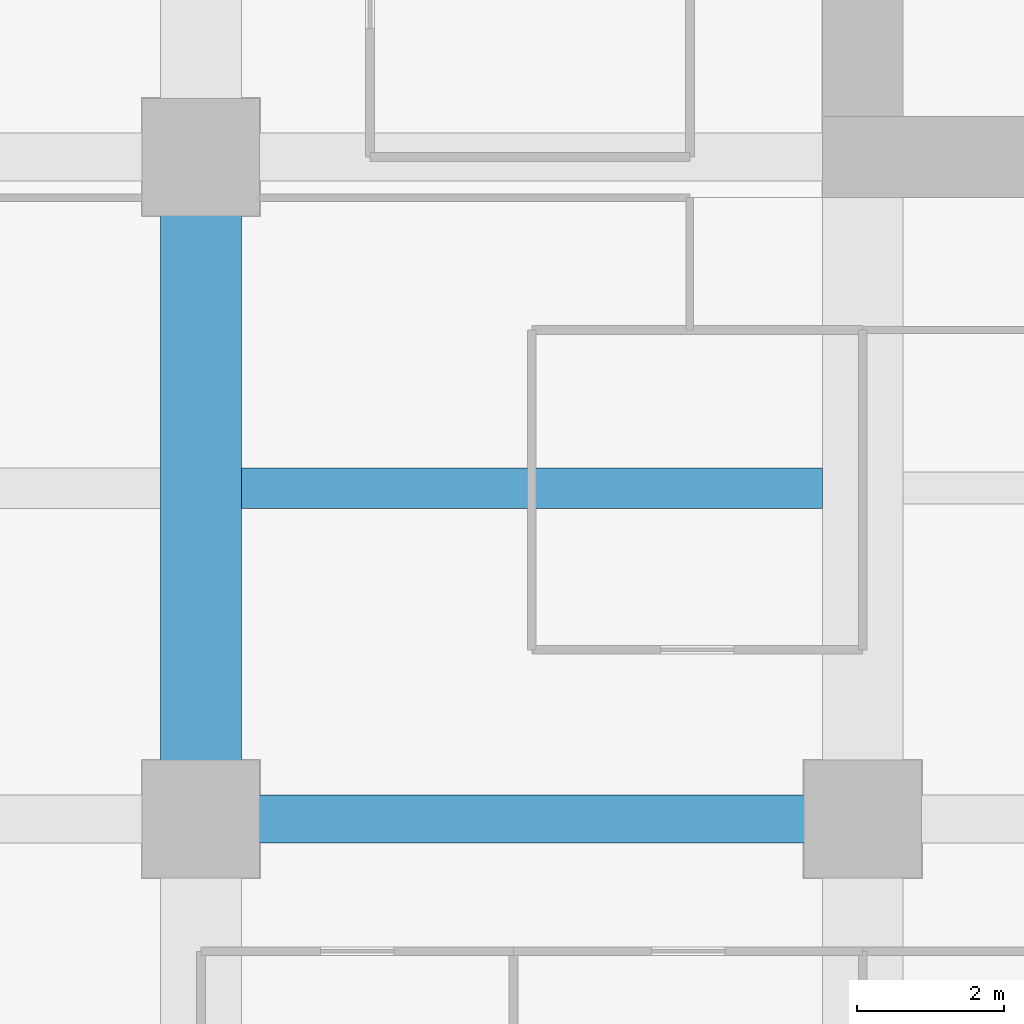
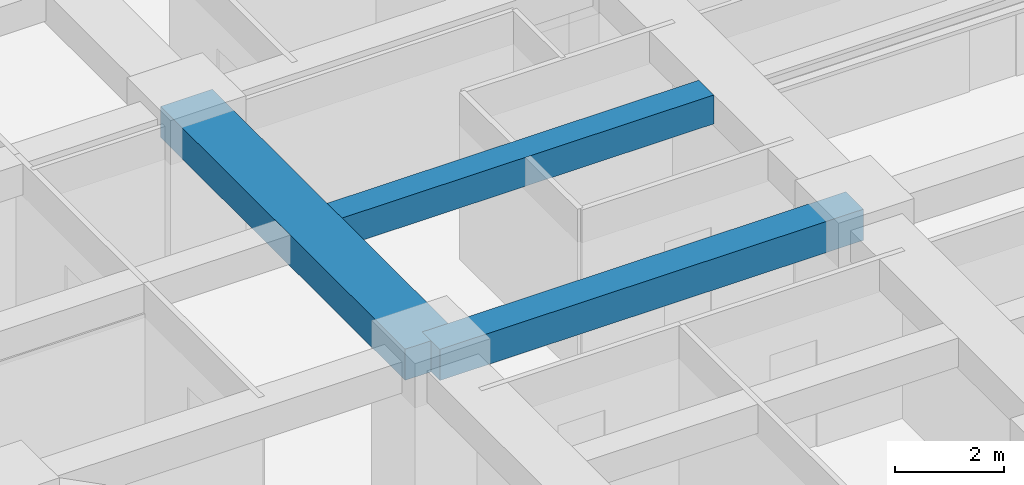
# One storey, part 5 of 34: 3 beams.
"""IFC4 building model written with IfcOpenShell, lengths in metres."""

from ifc_helpers import new_model, si_unit, direction, frame, origin, origin_2d, place, context, subcontext, project, spatial, rectangle, extrude, material, material_profile, profile_set, type_object, element, save


model = new_model("IFC4")

# Units and contexts
model_context = context("Model", 3, precision=1e-05, world=origin(), true_north=direction((0.0, 1.0)))
body_context = subcontext(model_context, "Body", "Model", "MODEL_VIEW")
ifc_project = project(units=[si_unit("LENGTHUNIT", "METRE"), si_unit("AREAUNIT", "SQUARE_METRE"), si_unit("VOLUMEUNIT", "CUBIC_METRE"), si_unit("PLANEANGLEUNIT", "RADIAN"), si_unit("MASSUNIT", "GRAM", prefix="KILO")], contexts=[model_context])

# Site, building, storey
site_placement = place(None, origin())
site = spatial("IfcSite", under=ifc_project, at=site_placement, CompositionType="ELEMENT")
building_placement = place(site_placement, origin())
building = spatial("IfcBuilding", under=site, at=building_placement, Name="Zorevar Civic Tower", CompositionType="ELEMENT")
storey_placement = place(building_placement, frame((0.0, 0.0, 170.199951171875)))
storey = spatial("IfcBuildingStorey", under=building, at=storey_placement, Name="L41", CompositionType="ELEMENT", Elevation=170.199951171875)

# Beams
ifc_material_1 = material(Name="Concrete C50/60", Category="concrete")
ifc_material_profile_1 = material_profile(ifc_material_1, rectangle(XDim=1.10009765625, YDim=0.699951171875, at=origin_2d()), Name="RC 1100x700")
ifc_profile_set_1 = profile_set([ifc_material_profile_1], Name="Concrete C50/60")
beam_type_1 = type_object("IfcBeamType", Name="Beam RC 1100x700", PredefinedType="BEAM", material=ifc_profile_set_1)
beam_1_placement = place(storey_placement, frame((9.0, 9.0, 3.400146484375), z_axis=(0.0, 1.0, 0.0), x_axis=(-1.0, 0.0, 0.0)))
element("IfcBeam", 1, at=beam_1_placement, inside=storey, type_object=beam_type_1, Name="Girder L42", PredefinedType="BEAM", context=body_context, shape_type="SweptSolid", body=[
    extrude(rectangle(XDim=1.10009765625, YDim=0.699951171875, at=origin_2d()), origin(), (0.0, 0.0, 1.0), 9.0),
])
ifc_material_2 = material(Name="Concrete C50/60", Category="concrete")
ifc_material_profile_2 = material_profile(ifc_material_2, rectangle(XDim=0.550048828125, YDim=0.64990234375, at=origin_2d()), Name="RC 550x650")
ifc_profile_set_2 = profile_set([ifc_material_profile_2], Name="Concrete C50/60")
beam_type_2 = type_object("IfcBeamType", Name="Beam RC 550x650", PredefinedType="BEAM", material=ifc_profile_set_2)
beam_2_placement = place(storey_placement, frame((9.550048828125, 13.5, 3.425048828125), z_axis=(1.0, 0.0, 0.0), x_axis=(0.0, 1.0, 0.0)))
element("IfcBeam", 2, at=beam_2_placement, inside=storey, type_object=beam_type_2, Name="Secondary beam L42", PredefinedType="BEAM", context=body_context, shape_type="SweptSolid", body=[
    extrude(rectangle(XDim=0.550048828125, YDim=0.64990234375, at=origin_2d()), origin(), (0.0, 0.0, 1.0), 7.89990234375),
])
ifc_material_3 = material(Name="Concrete C50/60", Category="concrete")
ifc_material_profile_3 = material_profile(ifc_material_3, rectangle(XDim=0.64990234375, YDim=0.699951171875, at=origin_2d()), Name="RC 650x700")
ifc_profile_set_3 = profile_set([ifc_material_profile_3], Name="Concrete C50/60")
beam_type_3 = type_object("IfcBeamType", Name="Beam RC 650x700", PredefinedType="BEAM", material=ifc_profile_set_3)
beam_3_placement = place(storey_placement, frame((9.0, 9.0, 3.400146484375), z_axis=(1.0, 0.0, 0.0), x_axis=(0.0, 1.0, 0.0)))
element("IfcBeam", 3, at=beam_3_placement, inside=storey, type_object=beam_type_3, Name="Girder L42", PredefinedType="BEAM", context=body_context, shape_type="SweptSolid", body=[
    extrude(rectangle(XDim=0.64990234375, YDim=0.699951171875, at=origin_2d()), origin(), (0.0, 0.0, 1.0), 9.0),
])

save(model, "model.ifc")
